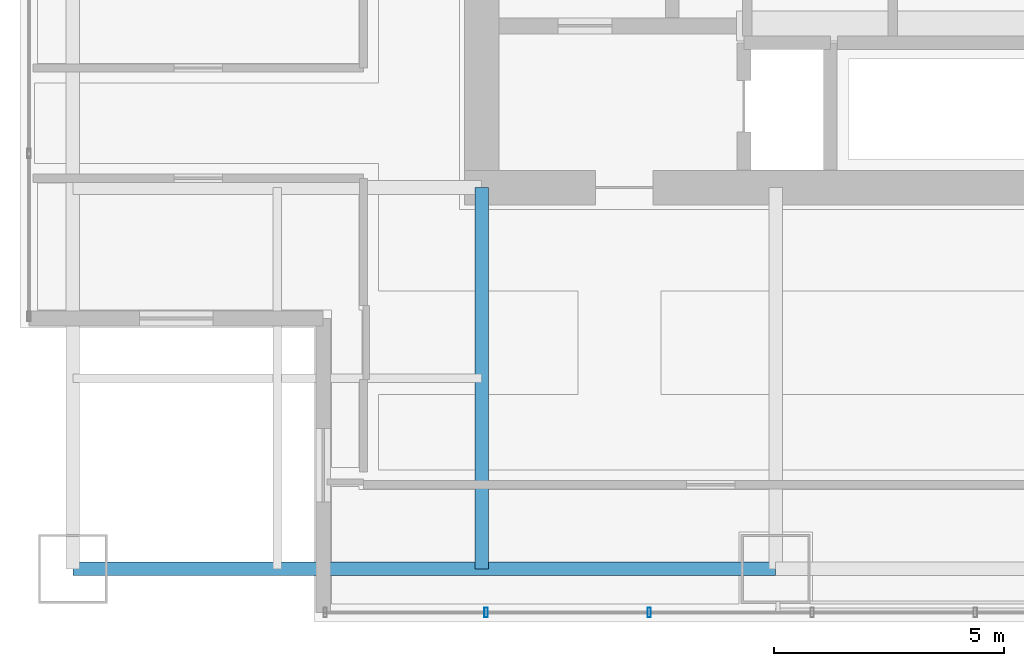
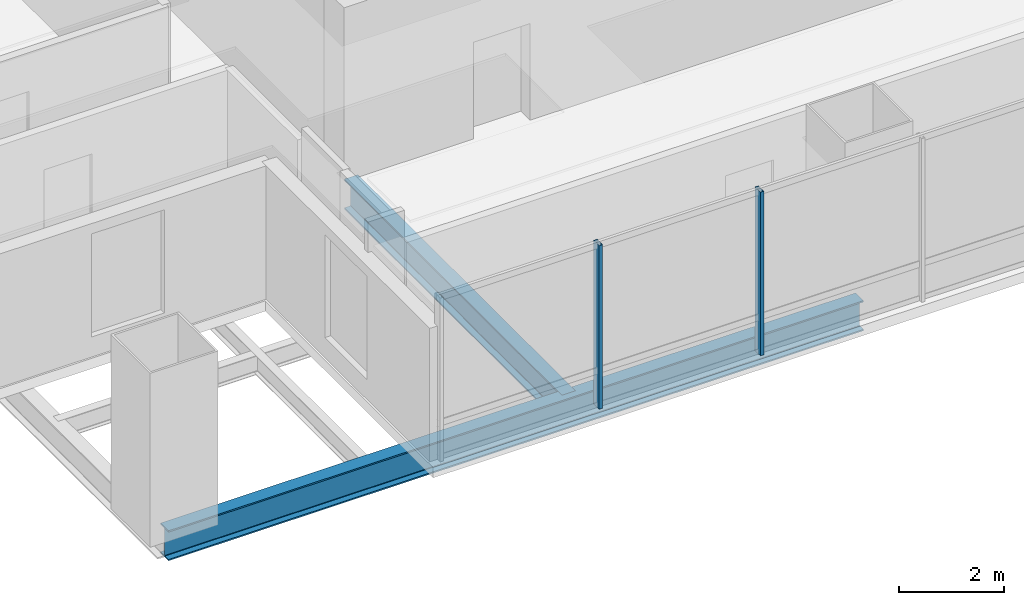
# One storey, part 3 of 35: 2 beams, 2 members, 1 element without a shape of its own.
"""IFC4 building model written with IfcOpenShell, lengths in metres."""

from ifc_helpers import new_model, si_unit, direction, frame, origin, origin_2d, place, context, subcontext, project, spatial, hollow_rectangle, i_section, extrude, material, material_profile, profile_set, type_object, element, aggregate, save


model = new_model("IFC4")

# Units and contexts
model_context = context("Model", 3, precision=1e-05, world=origin(), true_north=direction((0.0, 1.0)))
body_context = subcontext(model_context, "Body", "Model", "MODEL_VIEW")
ifc_project = project(units=[si_unit("LENGTHUNIT", "METRE"), si_unit("AREAUNIT", "SQUARE_METRE"), si_unit("VOLUMEUNIT", "CUBIC_METRE"), si_unit("PLANEANGLEUNIT", "RADIAN"), si_unit("MASSUNIT", "GRAM", prefix="KILO")], contexts=[model_context])

# Site, building, storey
site_placement = place(None, origin())
site = spatial("IfcSite", under=ifc_project, at=site_placement, CompositionType="ELEMENT")
building_placement = place(site_placement, origin())
building = spatial("IfcBuilding", under=site, at=building_placement, Name="Punatoya Terracotta Tower", CompositionType="ELEMENT")
storey_placement = place(building_placement, frame((0.0, 0.0, 113.25)))
storey = spatial("IfcBuildingStorey", under=building, at=storey_placement, Name="L26", CompositionType="ELEMENT", Elevation=113.25)

# Beams
ifc_material_1 = material(Name="Steel S355", Category="steel")
ifc_material_profile_1 = material_profile(ifc_material_1, i_section(OverallWidth=0.300048828125, OverallDepth=0.699951171875, WebThickness=0.01708984375, FlangeThickness=0.031982421875, FilletRadius=0.01806640625, at=origin_2d()))
ifc_profile_set_1 = profile_set([ifc_material_profile_1], Name="Steel S355")
beam_type = type_object("IfcBeamType", Name="BM-PRI-700", PredefinedType="BEAM", material=ifc_profile_set_1)
beam_1_placement = place(storey_placement, frame((-19.10009765625, -17.5, -0.590087890625), z_axis=(1.0, 0.0, 0.0), x_axis=(0.0, 1.0, 0.0)))
element("IfcBeam", 1, at=beam_1_placement, inside=storey, type_object=beam_type, Name="BM-L26-RG-S1", PredefinedType="BEAM", context=body_context, shape_type="SweptSolid", body=[
    extrude(i_section(OverallWidth=0.300048828125, OverallDepth=0.699951171875, WebThickness=0.01708984375, FlangeThickness=0.031982421875, FilletRadius=0.01806640625, at=origin_2d()), origin(), (0.0, 0.0, 1.0), 15.300048828125),
])
beam_2_placement = place(storey_placement, frame((-10.199951171875, -17.5, -0.590087890625), z_axis=(0.0, 1.0, 0.0), x_axis=(-1.0, 0.0, 0.0)))
element("IfcBeam", 2, at=beam_2_placement, inside=storey, type_object=beam_type, Name="BM-L26-PR-S1", PredefinedType="BEAM", context=body_context, shape_type="SweptSolid", body=[
    extrude(i_section(OverallWidth=0.300048828125, OverallDepth=0.699951171875, WebThickness=0.01708984375, FlangeThickness=0.031982421875, FilletRadius=0.01806640625, at=origin_2d()), origin(), (0.0, 0.0, 1.0), 8.300048828125),
])

# Curtain wall, members
ifc_material_2 = material(Name="Aluminium 6063-T6 + Double Low-E Glass", Category="aluminium")
curtain_wall_type = type_object("IfcCurtainWallType", Name="CW-M1", PredefinedType="NOTDEFINED", material=ifc_material_2)
curtain_wall_placement = place(storey_placement, origin())
curtain_wall = element("IfcCurtainWall", 3, at=curtain_wall_placement, inside=storey, type_object=curtain_wall_type, Name="L26 Curtain Wall CW-L26-S01-1", PredefinedType="NOTDEFINED")
ifc_material_3 = material(Name="Aluminium 6063-T6", Category="aluminium")
ifc_material_profile_2 = material_profile(ifc_material_3, hollow_rectangle(XDim=0.074951171875, YDim=0.2099609375, WallThickness=0.00439453125, at=origin_2d()))
ifc_profile_set_2 = profile_set([ifc_material_profile_2], Name="Aluminium 6063-T6")
member_type = type_object("IfcMemberType", Name="CW-MUL-M1", PredefinedType="MULLION", material=ifc_profile_set_2)
member_1_placement = place(storey_placement, frame((-10.101318359375, -18.449951171875, 0.0), z_axis=(0.0, 0.0, 1.0), x_axis=(1.0, 0.0, 0.0)))
member_1 = element("IfcMember", 4, at=member_1_placement, type_object=member_type, Name="CW-L26-S01-1 Mullion 01", PredefinedType="MULLION", context=body_context, shape_type="SweptSolid", body=[
    extrude(hollow_rectangle(XDim=0.074951171875, YDim=0.2099609375, WallThickness=0.00439453125, at=origin_2d()), origin(), (0.0, 0.0, 1.0), 3.81005859375),
])
member_2_placement = place(storey_placement, frame((-6.552490234375, -18.449951171875, 0.0), z_axis=(0.0, 0.0, 1.0), x_axis=(1.0, 0.0, 0.0)))
member_2 = element("IfcMember", 5, at=member_2_placement, type_object=member_type, Name="CW-L26-S01-1 Mullion 02", PredefinedType="MULLION", context=body_context, shape_type="SweptSolid", body=[
    extrude(hollow_rectangle(XDim=0.074951171875, YDim=0.2099609375, WallThickness=0.00439453125, at=origin_2d()), origin(), (0.0, 0.0, 1.0), 3.81005859375),
])
aggregate(curtain_wall, [member_1, member_2])

save(model, "model.ifc")
